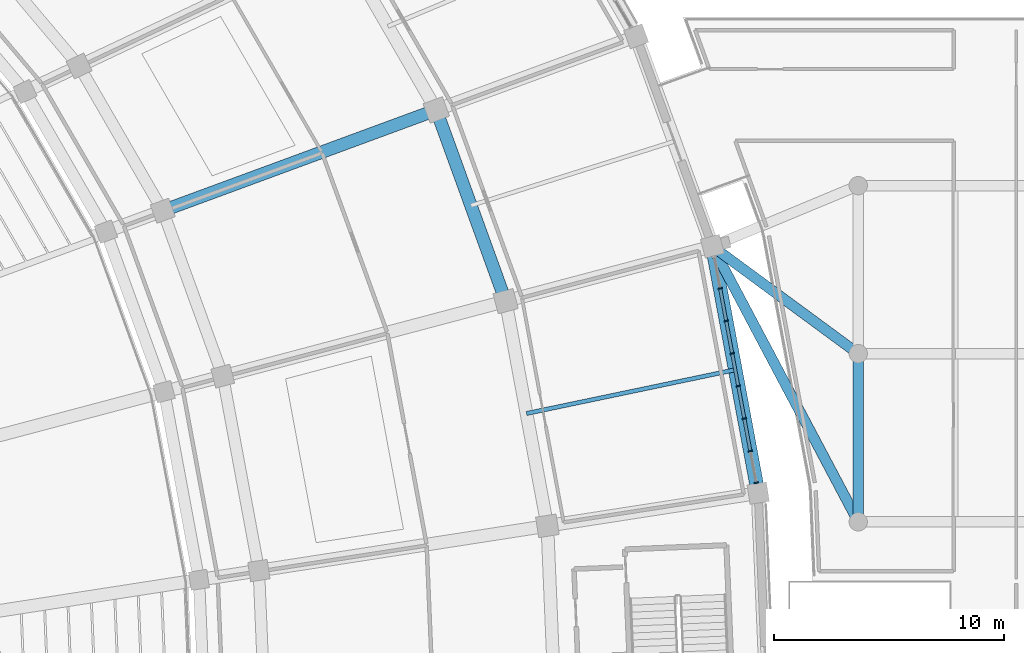
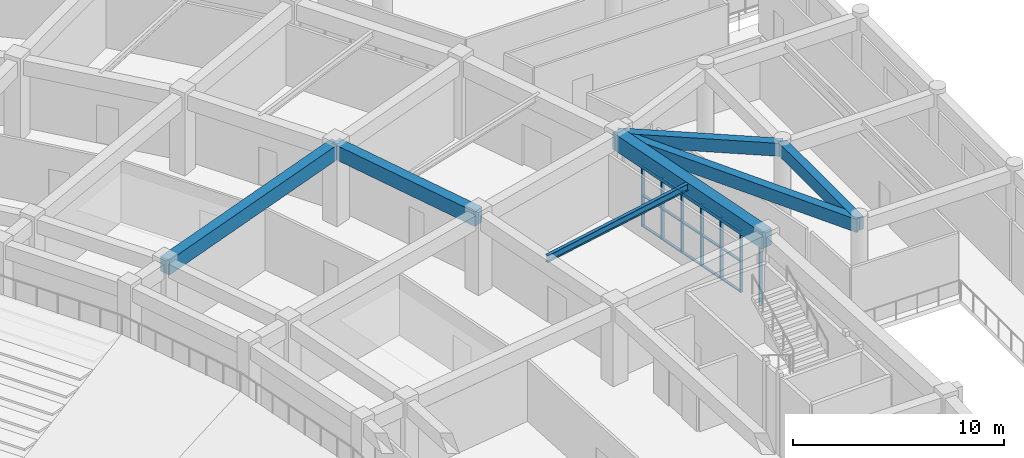
# One storey, part 51 of 152: 22 members, 7 beams, 1 element without a shape of its own.
"""IFC4 building model written with IfcOpenShell, lengths in metres."""

from ifc_helpers import new_model, si_unit, direction, frame, origin, origin_2d, place, context, subcontext, project, spatial, rectangle, i_section, extrude, material, layer, layer_set, material_profile, profile_set, type_object, element, aggregate, save


model = new_model("IFC4")

# Units and contexts
model_context = context("Model", 3, precision=1e-05, world=origin(), true_north=direction((0.0, 1.0)))
body_context = subcontext(model_context, "Body", "Model", "MODEL_VIEW")
ifc_project = project(units=[si_unit("LENGTHUNIT", "METRE"), si_unit("AREAUNIT", "SQUARE_METRE"), si_unit("VOLUMEUNIT", "CUBIC_METRE"), si_unit("PLANEANGLEUNIT", "RADIAN"), si_unit("MASSUNIT", "GRAM", prefix="KILO")], contexts=[model_context])

# Site, building, storey
site_placement = place(None, origin())
site = spatial("IfcSite", under=ifc_project, at=site_placement, CompositionType="ELEMENT")
building_placement = place(site_placement, origin())
building = spatial("IfcBuilding", under=site, at=building_placement, Name="Mphavela Belvedere Stadium", CompositionType="ELEMENT")
storey_placement = place(building_placement, frame((0.0, 0.0, 5.39990234375)))
storey = spatial("IfcBuildingStorey", under=building, at=storey_placement, Name="L01", CompositionType="ELEMENT", Elevation=5.39990234375)

# Beams
ifc_material_1 = material(Name="Concrete C40/50", Category="concrete")
ifc_material_profile_1 = material_profile(ifc_material_1, rectangle(XDim=0.60009765625, YDim=0.949951171875, at=origin_2d()), Name="RC 600x950")
ifc_profile_set_1 = profile_set([ifc_material_profile_1], Name="Concrete C40/50")
beam_type_1 = type_object("IfcBeamType", Name="BM-ENTABLATURE-950", PredefinedType="SPANDREL", material=ifc_profile_set_1)
beam_1_placement = place(storey_placement, frame((217.155517578125, 102.844970703125, 4.0751953125), z_axis=(-0.18264260648, 0.983179372393, 0.0), x_axis=(-0.983179372393, -0.18264260648, 0.0)))
element("IfcBeam", 1, at=beam_1_placement, inside=storey, type_object=beam_type_1, Name="Circumferential girder L01 R4-02", PredefinedType="SPANDREL", context=body_context, shape_type="SweptSolid", body=[
    extrude(rectangle(XDim=0.60009765625, YDim=0.949951171875, at=origin_2d()), origin(), (0.0, 0.0, 1.0), 10.90087890625),
])
ifc_material_2 = material(Name="Steel S355", Category="steel")
ifc_material_profile_2 = material_profile(ifc_material_2, i_section(OverallWidth=0.179931640625, OverallDepth=0.39990234375, WebThickness=0.008544921875, FlangeThickness=0.013427734375, at=origin_2d()), Name="IPE 400")
ifc_profile_set_2 = profile_set([ifc_material_profile_2], Name="Steel S355")
beam_type_2 = type_object("IfcBeamType", Name="BM-JOIST-IPE400", PredefinedType="JOIST", material=ifc_profile_set_2)
beam_2_placement = place(storey_placement, frame((207.09375, 106.303466796875, 4.35009765625), z_axis=(0.978734790431, 0.205129739435, 0.0), x_axis=(-0.205129739435, 0.978734790431, 0.0)))
element("IfcBeam", 2, at=beam_2_placement, inside=storey, type_object=beam_type_2, Name="Concourse floor joist L01-02", PredefinedType="JOIST", context=body_context, shape_type="SweptSolid", body=[
    extrude(i_section(OverallWidth=0.179931640625, OverallDepth=0.39990234375, WebThickness=0.008544921875, FlangeThickness=0.013427734375, at=origin_2d()), origin(), (0.0, 0.0, 1.0), 9.26318359375),
])
ifc_material_3 = material(Name="Concrete C40/50", Category="concrete")
ifc_material_profile_3 = material_profile(ifc_material_3, rectangle(XDim=0.449951171875, YDim=0.75, at=origin_2d()), Name="RC 450x750")
ifc_profile_set_3 = profile_set([ifc_material_profile_3], Name="Concrete C40/50")
beam_type_3 = type_object("IfcBeamType", Name="BM-RC450x750", PredefinedType="BEAM", material=ifc_profile_set_3)
beam_3_placement = place(storey_placement, frame((221.5, 101.60009765625, 4.1650390625), z_axis=(0.0, 1.0, 0.0), x_axis=(-1.0, 0.0, 0.0)))
element("IfcBeam", 3, at=beam_3_placement, inside=storey, type_object=beam_type_3, Name="East Planted Eaves Peristyle Colonnade entablature beam Y L01 8-8", PredefinedType="BEAM", context=body_context, shape_type="SweptSolid", body=[
    extrude(rectangle(XDim=0.449951171875, YDim=0.75, at=origin_2d()), origin(), (0.0, 0.0, 1.0), 7.2998046875),
])
beam_4_placement = place(storey_placement, frame((221.5, 101.60009765625, 4.1650390625), z_axis=(-0.468026930874, 0.883714202657, 0.0), x_axis=(-0.883714202657, -0.468026930874, 0.0)))
element("IfcBeam", 4, at=beam_4_placement, inside=storey, type_object=beam_type_3, Name="East Planted Eaves Peristyle Colonnade bowl link girder L01-2", PredefinedType="BEAM", context=body_context, shape_type="SweptSolid", body=[
    extrude(rectangle(XDim=0.449951171875, YDim=0.75, at=origin_2d()), origin(), (0.0, 0.0, 1.0), 13.53662109375),
])
beam_5_placement = place(storey_placement, frame((221.5, 108.89990234375, 4.1650390625), z_axis=(-0.805397383999, 0.592735230814, 0.0), x_axis=(-0.592735230814, -0.805397383999, 0.0)))
element("IfcBeam", 5, at=beam_5_placement, inside=storey, type_object=beam_type_3, Name="East Planted Eaves Peristyle Colonnade bowl link girder L01-4", PredefinedType="BEAM", context=body_context, shape_type="SweptSolid", body=[
    extrude(rectangle(XDim=0.449951171875, YDim=0.75, at=origin_2d()), origin(), (0.0, 0.0, 1.0), 7.8662109375),
])
ifc_material_4 = material(Name="Concrete C40/50", Category="concrete")
ifc_material_profile_4 = material_profile(ifc_material_4, rectangle(XDim=0.550048828125, YDim=0.85009765625, at=origin_2d()), Name="RC 550x850")
ifc_profile_set_4 = profile_set([ifc_material_profile_4], Name="Concrete C40/50")
beam_type_4 = type_object("IfcBeamType", Name="BM-RC550x850", PredefinedType="BEAM", material=ifc_profile_set_4)
beam_6_placement = place(storey_placement, frame((206.1875, 111.181884765625, 4.125), z_axis=(-0.341030504348, 0.940052229987, 0.0), x_axis=(-0.940052229987, -0.341030504348, 0.0)))
element("IfcBeam", 6, at=beam_6_placement, inside=storey, type_object=beam_type_4, Name="Circumferential girder L01 R3-03", PredefinedType="BEAM", context=body_context, shape_type="SweptSolid", body=[
    extrude(rectangle(XDim=0.550048828125, YDim=0.85009765625, at=origin_2d()), origin(), (0.0, 0.0, 1.0), 8.83203125),
])
beam_7_placement = place(storey_placement, frame((191.297119140625, 115.108154296875, 4.125), z_axis=(0.938344104636, 0.345702677593, 0.0), x_axis=(-0.345702677593, 0.938344104636, 0.0)))
element("IfcBeam", 7, at=beam_7_placement, inside=storey, type_object=beam_type_4, Name="Radial concourse girder L01 R2R3-04", PredefinedType="BEAM", context=body_context, shape_type="SweptSolid", body=[
    extrude(rectangle(XDim=0.550048828125, YDim=0.85009765625, at=origin_2d()), origin(), (0.0, 0.0, 1.0), 12.658935546875),
])

# Curtain wall, members
ifc_material_5 = material(Name="Anodised bronze unitised curtain wall framing")
ifc_layer = layer(ifc_material_5, 0.179931640625)
ifc_layer_set = layer_set([ifc_layer], Name="Anodised bronze unitised curtain wall framing")
curtain_wall_type = type_object("IfcCurtainWallType", Name="CW-UNIT-01", PredefinedType="USERDEFINED", material=ifc_layer_set)
curtain_wall_placement = place(storey_placement, origin())
curtain_wall = element("IfcCurtainWall", 8, at=curtain_wall_placement, inside=storey, type_object=curtain_wall_type, Name="Belvedere colonnade curtain wall L01-02", ObjectType="UNITISED CURTAIN WALL", PredefinedType="USERDEFINED")
ifc_material_6 = material(Name="Anodised bronze extruded aluminium", Category="aluminium")
ifc_material_profile_5 = material_profile(ifc_material_6, rectangle(XDim=0.179931640625, YDim=0.06494140625, at=origin_2d()), Name="CW-MUL 180x65")
ifc_profile_set_5 = profile_set([ifc_material_profile_5], Name="Anodised bronze extruded aluminium")
member_type_1 = type_object("IfcMemberType", Name="CWM-180x65", PredefinedType="MULLION", material=ifc_profile_set_5)
member_1_placement = place(storey_placement, frame((217.072265625, 103.29296875, 0.0), z_axis=(0.0, 0.0, 1.0), x_axis=(-0.983183659932, -0.182619524814, 0.0)))
member_1 = element("IfcMember", 9, at=member_1_placement, type_object=member_type_1, Name="CW-01 mullion 1", PredefinedType="MULLION", context=body_context, shape_type="SweptSolid", body=[
    extrude(rectangle(XDim=0.179931640625, YDim=0.06494140625, at=origin_2d()), origin(), (0.0, 0.0, 1.0), 3.570068359375),
])
member_2_placement = place(storey_placement, frame((216.815673828125, 104.673095703125, 0.0), z_axis=(0.0, 0.0, 1.0), x_axis=(-0.983183659932, -0.182619524814, 0.0)))
member_2 = element("IfcMember", 10, at=member_2_placement, type_object=member_type_1, Name="CW-01 mullion 2", PredefinedType="MULLION", context=body_context, shape_type="SweptSolid", body=[
    extrude(rectangle(XDim=0.179931640625, YDim=0.06494140625, at=origin_2d()), origin(), (0.0, 0.0, 1.0), 3.570068359375),
])
member_3_placement = place(storey_placement, frame((216.553466796875, 106.08544921875, 0.0), z_axis=(0.0, 0.0, 1.0), x_axis=(-0.983183659932, -0.182619524814, 0.0)))
member_3 = element("IfcMember", 11, at=member_3_placement, type_object=member_type_1, Name="CW-01 mullion 3", PredefinedType="MULLION", context=body_context, shape_type="SweptSolid", body=[
    extrude(rectangle(XDim=0.179931640625, YDim=0.06494140625, at=origin_2d()), origin(), (0.0, 0.0, 1.0), 3.570068359375),
])
member_4_placement = place(storey_placement, frame((216.291259765625, 107.49755859375, 0.0), z_axis=(0.0, 0.0, 1.0), x_axis=(-0.983183659932, -0.182619524814, 0.0)))
member_4 = element("IfcMember", 12, at=member_4_placement, type_object=member_type_1, Name="CW-01 mullion 4", PredefinedType="MULLION", context=body_context, shape_type="SweptSolid", body=[
    extrude(rectangle(XDim=0.179931640625, YDim=0.06494140625, at=origin_2d()), origin(), (0.0, 0.0, 1.0), 3.570068359375),
])
member_5_placement = place(storey_placement, frame((216.02880859375, 108.909912109375, 0.0), z_axis=(0.0, 0.0, 1.0), x_axis=(-0.983183659932, -0.182619524814, 0.0)))
member_5 = element("IfcMember", 13, at=member_5_placement, type_object=member_type_1, Name="CW-01 mullion 5", PredefinedType="MULLION", context=body_context, shape_type="SweptSolid", body=[
    extrude(rectangle(XDim=0.179931640625, YDim=0.06494140625, at=origin_2d()), origin(), (0.0, 0.0, 1.0), 3.570068359375),
])
member_6_placement = place(storey_placement, frame((215.7666015625, 110.322021484375, 0.0), z_axis=(0.0, 0.0, 1.0), x_axis=(-0.983183659932, -0.182619524814, 0.0)))
member_6 = element("IfcMember", 14, at=member_6_placement, type_object=member_type_1, Name="CW-01 mullion 6", PredefinedType="MULLION", context=body_context, shape_type="SweptSolid", body=[
    extrude(rectangle(XDim=0.179931640625, YDim=0.06494140625, at=origin_2d()), origin(), (0.0, 0.0, 1.0), 3.570068359375),
])
member_7_placement = place(storey_placement, frame((215.504150390625, 111.734375, 0.0), z_axis=(0.0, 0.0, 1.0), x_axis=(-0.983183659932, -0.182619524814, 0.0)))
member_7 = element("IfcMember", 15, at=member_7_placement, type_object=member_type_1, Name="CW-01 mullion 7", PredefinedType="MULLION", context=body_context, shape_type="SweptSolid", body=[
    extrude(rectangle(XDim=0.179931640625, YDim=0.06494140625, at=origin_2d()), origin(), (0.0, 0.0, 1.0), 3.570068359375),
])
ifc_material_7 = material(Name="Anodised bronze extruded aluminium", Category="aluminium")
ifc_material_profile_6 = material_profile(ifc_material_7, rectangle(XDim=0.139892578125, YDim=0.06005859375, at=origin_2d()), Name="CW-TRN 140x60")
ifc_profile_set_6 = profile_set([ifc_material_profile_6], Name="Anodised bronze extruded aluminium")
member_type_2 = type_object("IfcMemberType", Name="CWT-140x60", PredefinedType="USERDEFINED", material=ifc_profile_set_6)
member_8_placement = place(storey_placement, frame((216.809814453125, 104.705078125, 0.030029296875), z_axis=(-0.182643817711, 0.983179147385, 0.0), x_axis=(-0.983179147385, -0.182643817711, 0.0)))
member_8 = element("IfcMember", 16, at=member_8_placement, type_object=member_type_2, Name="CW-01 transom 2.1", ObjectType="TRANSOM", PredefinedType="USERDEFINED", context=body_context, shape_type="SweptSolid", body=[
    extrude(rectangle(XDim=0.139892578125, YDim=0.06005859375, at=origin_2d()), origin(), (0.0, 0.0, 1.0), 1.371337890625),
])
member_9_placement = place(storey_placement, frame((216.809814453125, 104.705078125, 1.78515625), z_axis=(-0.182643817711, 0.983179147385, 0.0), x_axis=(-0.983179147385, -0.182643817711, 0.0)))
member_9 = element("IfcMember", 17, at=member_9_placement, type_object=member_type_2, Name="CW-01 transom 2.2", ObjectType="TRANSOM", PredefinedType="USERDEFINED", context=body_context, shape_type="SweptSolid", body=[
    extrude(rectangle(XDim=0.139892578125, YDim=0.06005859375, at=origin_2d()), origin(), (0.0, 0.0, 1.0), 1.371337890625),
])
member_10_placement = place(storey_placement, frame((216.809814453125, 104.705078125, 3.5400390625), z_axis=(-0.182643817711, 0.983179147385, 0.0), x_axis=(-0.983179147385, -0.182643817711, 0.0)))
member_10 = element("IfcMember", 18, at=member_10_placement, type_object=member_type_2, Name="CW-01 transom 2.3", ObjectType="TRANSOM", PredefinedType="USERDEFINED", context=body_context, shape_type="SweptSolid", body=[
    extrude(rectangle(XDim=0.139892578125, YDim=0.06005859375, at=origin_2d()), origin(), (0.0, 0.0, 1.0), 1.371337890625),
])
member_11_placement = place(storey_placement, frame((216.547607421875, 106.117431640625, 0.030029296875), z_axis=(-0.182675789722, 0.983173207451, 0.0), x_axis=(-0.983173207451, -0.182675789722, 0.0)))
member_11 = element("IfcMember", 19, at=member_11_placement, type_object=member_type_2, Name="CW-01 transom 3.1", ObjectType="TRANSOM", PredefinedType="USERDEFINED", context=body_context, shape_type="SweptSolid", body=[
    extrude(rectangle(XDim=0.139892578125, YDim=0.06005859375, at=origin_2d()), origin(), (0.0, 0.0, 1.0), 1.371337890625),
])
member_12_placement = place(storey_placement, frame((216.547607421875, 106.117431640625, 1.78515625), z_axis=(-0.182675789722, 0.983173207451, 0.0), x_axis=(-0.983173207451, -0.182675789722, 0.0)))
member_12 = element("IfcMember", 20, at=member_12_placement, type_object=member_type_2, Name="CW-01 transom 3.2", ObjectType="TRANSOM", PredefinedType="USERDEFINED", context=body_context, shape_type="SweptSolid", body=[
    extrude(rectangle(XDim=0.139892578125, YDim=0.06005859375, at=origin_2d()), origin(), (0.0, 0.0, 1.0), 1.371337890625),
])
member_13_placement = place(storey_placement, frame((216.547607421875, 106.117431640625, 3.5400390625), z_axis=(-0.182675789722, 0.983173207451, 0.0), x_axis=(-0.983173207451, -0.182675789722, 0.0)))
member_13 = element("IfcMember", 21, at=member_13_placement, type_object=member_type_2, Name="CW-01 transom 3.3", ObjectType="TRANSOM", PredefinedType="USERDEFINED", context=body_context, shape_type="SweptSolid", body=[
    extrude(rectangle(XDim=0.139892578125, YDim=0.06005859375, at=origin_2d()), origin(), (0.0, 0.0, 1.0), 1.371337890625),
])
member_14_placement = place(storey_placement, frame((216.28515625, 107.529541015625, 0.030029296875), z_axis=(-0.182643817711, 0.983179147385, 0.0), x_axis=(-0.983179147385, -0.182643817711, 0.0)))
member_14 = element("IfcMember", 22, at=member_14_placement, type_object=member_type_2, Name="CW-01 transom 4.1", ObjectType="TRANSOM", PredefinedType="USERDEFINED", context=body_context, shape_type="SweptSolid", body=[
    extrude(rectangle(XDim=0.139892578125, YDim=0.06005859375, at=origin_2d()), origin(), (0.0, 0.0, 1.0), 1.371337890625),
])
member_15_placement = place(storey_placement, frame((216.28515625, 107.529541015625, 1.78515625), z_axis=(-0.182643817711, 0.983179147385, 0.0), x_axis=(-0.983179147385, -0.182643817711, 0.0)))
member_15 = element("IfcMember", 23, at=member_15_placement, type_object=member_type_2, Name="CW-01 transom 4.2", ObjectType="TRANSOM", PredefinedType="USERDEFINED", context=body_context, shape_type="SweptSolid", body=[
    extrude(rectangle(XDim=0.139892578125, YDim=0.06005859375, at=origin_2d()), origin(), (0.0, 0.0, 1.0), 1.371337890625),
])
member_16_placement = place(storey_placement, frame((216.28515625, 107.529541015625, 3.5400390625), z_axis=(-0.182643817711, 0.983179147385, 0.0), x_axis=(-0.983179147385, -0.182643817711, 0.0)))
member_16 = element("IfcMember", 24, at=member_16_placement, type_object=member_type_2, Name="CW-01 transom 4.3", ObjectType="TRANSOM", PredefinedType="USERDEFINED", context=body_context, shape_type="SweptSolid", body=[
    extrude(rectangle(XDim=0.139892578125, YDim=0.06005859375, at=origin_2d()), origin(), (0.0, 0.0, 1.0), 1.371337890625),
])
member_17_placement = place(storey_placement, frame((216.02294921875, 108.94189453125, 0.030029296875), z_axis=(-0.182675789722, 0.983173207451, 0.0), x_axis=(-0.983173207451, -0.182675789722, 0.0)))
member_17 = element("IfcMember", 25, at=member_17_placement, type_object=member_type_2, Name="CW-01 transom 5.1", ObjectType="TRANSOM", PredefinedType="USERDEFINED", context=body_context, shape_type="SweptSolid", body=[
    extrude(rectangle(XDim=0.139892578125, YDim=0.06005859375, at=origin_2d()), origin(), (0.0, 0.0, 1.0), 1.371337890625),
])
member_18_placement = place(storey_placement, frame((216.02294921875, 108.94189453125, 1.78515625), z_axis=(-0.182675789722, 0.983173207451, 0.0), x_axis=(-0.983173207451, -0.182675789722, 0.0)))
member_18 = element("IfcMember", 26, at=member_18_placement, type_object=member_type_2, Name="CW-01 transom 5.2", ObjectType="TRANSOM", PredefinedType="USERDEFINED", context=body_context, shape_type="SweptSolid", body=[
    extrude(rectangle(XDim=0.139892578125, YDim=0.06005859375, at=origin_2d()), origin(), (0.0, 0.0, 1.0), 1.371337890625),
])
member_19_placement = place(storey_placement, frame((216.02294921875, 108.94189453125, 3.5400390625), z_axis=(-0.182675789722, 0.983173207451, 0.0), x_axis=(-0.983173207451, -0.182675789722, 0.0)))
member_19 = element("IfcMember", 27, at=member_19_placement, type_object=member_type_2, Name="CW-01 transom 5.3", ObjectType="TRANSOM", PredefinedType="USERDEFINED", context=body_context, shape_type="SweptSolid", body=[
    extrude(rectangle(XDim=0.139892578125, YDim=0.06005859375, at=origin_2d()), origin(), (0.0, 0.0, 1.0), 1.371337890625),
])
member_20_placement = place(storey_placement, frame((215.760498046875, 110.35400390625, 0.030029296875), z_axis=(-0.182471732278, 0.983211099876, 0.0), x_axis=(-0.983211099876, -0.182471732278, 0.0)))
member_20 = element("IfcMember", 28, at=member_20_placement, type_object=member_type_2, Name="CW-01 transom 6.1", ObjectType="TRANSOM", PredefinedType="USERDEFINED", context=body_context, shape_type="SweptSolid", body=[
    extrude(rectangle(XDim=0.139892578125, YDim=0.06005859375, at=origin_2d()), origin(), (0.0, 0.0, 1.0), 1.371337890625),
])
member_21_placement = place(storey_placement, frame((215.760498046875, 110.35400390625, 1.78515625), z_axis=(-0.182471732278, 0.983211099876, 0.0), x_axis=(-0.983211099876, -0.182471732278, 0.0)))
member_21 = element("IfcMember", 29, at=member_21_placement, type_object=member_type_2, Name="CW-01 transom 6.2", ObjectType="TRANSOM", PredefinedType="USERDEFINED", context=body_context, shape_type="SweptSolid", body=[
    extrude(rectangle(XDim=0.139892578125, YDim=0.06005859375, at=origin_2d()), origin(), (0.0, 0.0, 1.0), 1.371337890625),
])
member_22_placement = place(storey_placement, frame((215.760498046875, 110.35400390625, 3.5400390625), z_axis=(-0.182471732278, 0.983211099876, 0.0), x_axis=(-0.983211099876, -0.182471732278, 0.0)))
member_22 = element("IfcMember", 30, at=member_22_placement, type_object=member_type_2, Name="CW-01 transom 6.3", ObjectType="TRANSOM", PredefinedType="USERDEFINED", context=body_context, shape_type="SweptSolid", body=[
    extrude(rectangle(XDim=0.139892578125, YDim=0.06005859375, at=origin_2d()), origin(), (0.0, 0.0, 1.0), 1.371337890625),
])
aggregate(curtain_wall, [member_1, member_2, member_3, member_4, member_5, member_6, member_7, member_8, member_9, member_10, member_11, member_12, member_13, member_14, member_15, member_16, member_17, member_18, member_19, member_20, member_21, member_22])

save(model, "model.ifc")
